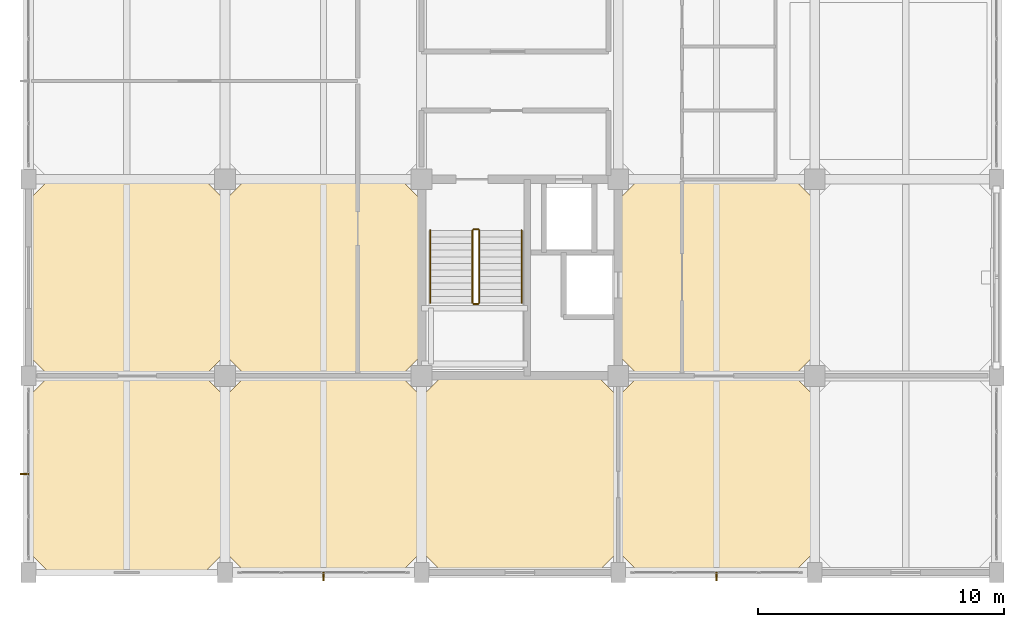
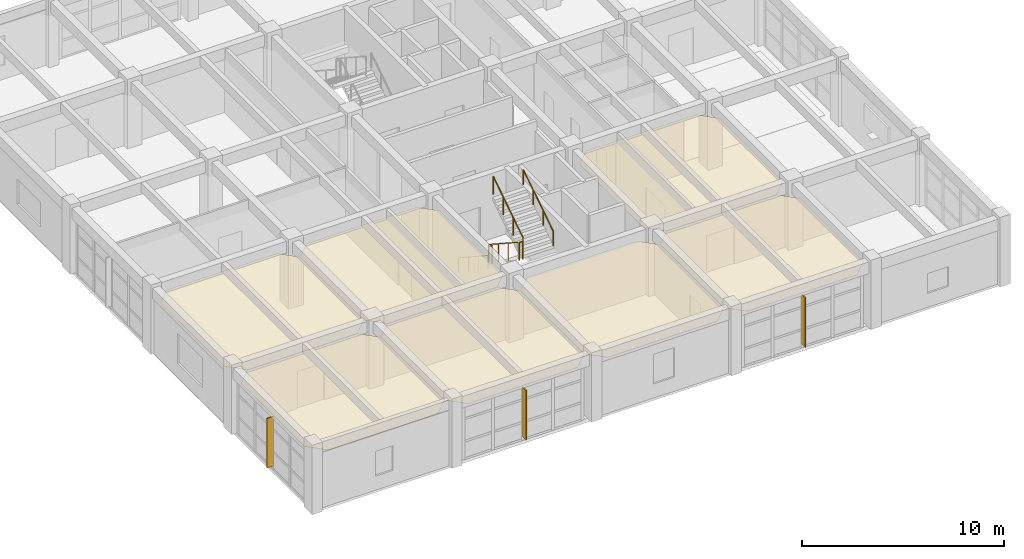
# One storey, part 24 of 27: 7 coverings, 6 railings, 3 shading devices.
"""IFC4 building model written with IfcOpenShell, lengths in metres."""

from ifc_helpers import new_model, si_unit, direction, frame, origin, origin_2d, place, context, subcontext, project, spatial, polyline, rectangle, circle, outline, extrude, material, layer, layer_set, type_object, element, save


model = new_model("IFC4")

# Units and contexts
model_context = context("Model", 3, precision=1e-05, world=origin(), true_north=direction((0.0, 1.0)))
body_context = subcontext(model_context, "Body", "Model", "MODEL_VIEW")
ifc_project = project(units=[si_unit("LENGTHUNIT", "METRE"), si_unit("AREAUNIT", "SQUARE_METRE"), si_unit("VOLUMEUNIT", "CUBIC_METRE"), si_unit("PLANEANGLEUNIT", "RADIAN"), si_unit("MASSUNIT", "GRAM", prefix="KILO")], contexts=[model_context])

# Site, building, storey
site_placement = place(None, origin())
site = spatial("IfcSite", under=ifc_project, at=site_placement, CompositionType="ELEMENT")
building_placement = place(site_placement, origin())
building = spatial("IfcBuilding", under=site, at=building_placement, Name="Canggui Botanical Conservatory", CompositionType="ELEMENT")
storey_placement = place(building_placement, frame((0.0, 0.0, 31.800048828125)))
storey = spatial("IfcBuildingStorey", under=building, at=storey_placement, Name="L08", CompositionType="ELEMENT", Elevation=31.800048828125)

# Coverings
ifc_material_1 = material(Name="Mineral Fibre Acoustic Board")
ifc_layer_1 = layer(ifc_material_1, 0.014892578125, Name="Mineral Fibre Acoustic Board")
ifc_layer_set_1 = layer_set([ifc_layer_1], Name="Mineral Fibre Acoustic Board")
covering_type_1 = type_object("IfcCoveringType", Name="COV-CEIL-15", PredefinedType="CEILING", material=ifc_layer_set_1)
covering_1_placement = place(storey_placement, frame((0.0, 0.0, 3.264892578125)))
element("IfcCovering", 1, at=covering_1_placement, inside=storey, type_object=covering_type_1, Name="Suspended Acoustic Ceiling L08-138-42", PredefinedType="CEILING", context=body_context, shape_type="SweptSolid", body=[
    extrude(outline(polyline([(138.85009765625, 42.0), (145.14990234375, 42.0), (146.0, 42.85009765625), (146.0, 49.14990234375), (145.14990234375, 50.0), (138.85009765625, 50.0), (138.0, 49.14990234375), (138.0, 42.85009765625), (138.85009765625, 42.0)])), origin(), (0.0, 0.0, 1.0), 0.01513671875),
])
covering_2_placement = place(storey_placement, frame((0.0, 0.0, 3.264892578125)))
element("IfcCovering", 2, at=covering_2_placement, inside=storey, type_object=covering_type_1, Name="Suspended Acoustic Ceiling L08-146-34", PredefinedType="CEILING", context=body_context, shape_type="SweptSolid", body=[
    extrude(outline(polyline([(146.85009765625, 34.0), (153.14990234375, 34.0), (154.0, 34.85009765625), (154.0, 41.14990234375), (153.14990234375, 42.0), (146.85009765625, 42.0), (146.0, 41.14990234375), (146.0, 34.85009765625), (146.85009765625, 34.0)])), origin(), (0.0, 0.0, 1.0), 0.01513671875),
])
covering_3_placement = place(storey_placement, frame((0.0, 0.0, 3.264892578125)))
element("IfcCovering", 3, at=covering_3_placement, inside=storey, type_object=covering_type_1, Name="Suspended Acoustic Ceiling L08-162-34", PredefinedType="CEILING", context=body_context, shape_type="SweptSolid", body=[
    extrude(outline(polyline([(162.85009765625, 34.0), (169.14990234375, 34.0), (170.0, 34.85009765625), (170.0, 41.14990234375), (169.14990234375, 42.0), (162.85009765625, 42.0), (162.0, 41.14990234375), (162.0, 34.85009765625), (162.85009765625, 34.0)])), origin(), (0.0, 0.0, 1.0), 0.01513671875),
])
ifc_material_2 = material(Name="Perforated Gypsum Acoustic Panel")
ifc_layer_2 = layer(ifc_material_2, 0.02001953125, Name="Perforated Gypsum Acoustic Panel")
ifc_layer_set_2 = layer_set([ifc_layer_2], Name="Perforated Gypsum Acoustic Panel")
covering_type_2 = type_object("IfcCoveringType", Name="COV-CEIL-20", PredefinedType="CEILING", material=ifc_layer_set_2)
covering_4_placement = place(storey_placement, frame((0.0, 0.0, 3.260009765625)))
element("IfcCovering", 4, at=covering_4_placement, inside=storey, type_object=covering_type_2, Name="Suspended Acoustic Ceiling L08-138-34", PredefinedType="CEILING", context=body_context, shape_type="SweptSolid", body=[
    extrude(outline(polyline([(138.85009765625, 34.0), (145.14990234375, 34.0), (146.0, 34.85009765625), (146.0, 41.14990234375), (145.14990234375, 42.0), (138.85009765625, 42.0), (138.0, 41.14990234375), (138.0, 34.85009765625), (138.85009765625, 34.0)])), origin(), (0.0, 0.0, 1.0), 0.02001953125),
])
covering_5_placement = place(storey_placement, frame((0.0, 0.0, 3.260009765625)))
element("IfcCovering", 5, at=covering_5_placement, inside=storey, type_object=covering_type_2, Name="Suspended Acoustic Ceiling L08-146-42", PredefinedType="CEILING", context=body_context, shape_type="SweptSolid", body=[
    extrude(outline(polyline([(146.85009765625, 42.0), (153.14990234375, 42.0), (154.0, 42.85009765625), (154.0, 49.14990234375), (153.14990234375, 50.0), (146.85009765625, 50.0), (146.0, 49.14990234375), (146.0, 42.85009765625), (146.85009765625, 42.0)])), origin(), (0.0, 0.0, 1.0), 0.02001953125),
])
covering_6_placement = place(storey_placement, frame((0.0, 0.0, 3.260009765625)))
element("IfcCovering", 6, at=covering_6_placement, inside=storey, type_object=covering_type_2, Name="Suspended Acoustic Ceiling L08-154-34", PredefinedType="CEILING", context=body_context, shape_type="SweptSolid", body=[
    extrude(outline(polyline([(154.85009765625, 34.0), (161.14990234375, 34.0), (162.0, 34.85009765625), (162.0, 41.14990234375), (161.14990234375, 42.0), (154.85009765625, 42.0), (154.0, 41.14990234375), (154.0, 34.85009765625), (154.85009765625, 34.0)])), origin(), (0.0, 0.0, 1.0), 0.02001953125),
])
covering_7_placement = place(storey_placement, frame((0.0, 0.0, 3.260009765625)))
element("IfcCovering", 7, at=covering_7_placement, inside=storey, type_object=covering_type_2, Name="Suspended Acoustic Ceiling L08-162-42", PredefinedType="CEILING", context=body_context, shape_type="SweptSolid", body=[
    extrude(outline(polyline([(162.85009765625, 42.0), (169.14990234375, 42.0), (170.0, 42.85009765625), (170.0, 49.14990234375), (169.14990234375, 50.0), (162.85009765625, 50.0), (162.0, 49.14990234375), (162.0, 42.85009765625), (162.85009765625, 42.0)])), origin(), (0.0, 0.0, 1.0), 0.02001953125),
])

# Railings
ifc_material_3 = material(Name="Stainless Steel 304", Category="steel")
railing_type_1 = type_object("IfcRailingType", Name="RAIL-GUARD-1100", PredefinedType="BALUSTRADE", material=ifc_material_3)
railing_1_placement = place(storey_placement, frame((156.070068359375, 47.919921875, 0.175048828125)))
element("IfcRailing", 8, at=railing_1_placement, inside=storey, type_object=railing_type_1, Name="L08 ST-T1 stair guard 1", PredefinedType="BALUSTRADE", context=body_context, shape_type="SweptSolid", body=[
    extrude(circle(Radius=0.02392578125, at=origin_2d()), frame((0.0, 0.0, 1.076171875), z_axis=(0.0, -0.837324922549, 0.546705564338), x_axis=(1.0, 0.0, 0.0)), (0.0, 0.0, 1.0), 3.520751953125),
    extrude(circle(Radius=0.02099609375, at=origin_2d()), origin(), (0.0, 0.0, 1.0), 1.052001953125),
    extrude(circle(Radius=0.02099609375, at=origin_2d()), frame((0.0, -0.982666015625, 0.6416015625)), (0.0, 0.0, 1.0), 1.052001953125),
    extrude(circle(Radius=0.02099609375, at=origin_2d()), frame((0.0, -1.96533203125, 1.283203125)), (0.0, 0.0, 1.0), 1.052001953125),
    extrude(circle(Radius=0.02099609375, at=origin_2d()), frame((0.0, -2.947998046875, 1.9248046875)), (0.0, 0.0, 1.0), 1.052001953125),
])
railing_2_placement = place(storey_placement, frame((156.1201171875, 44.922119140625, 2.099853515625)))
element("IfcRailing", 9, at=railing_2_placement, inside=storey, type_object=railing_type_1, Name="L08 ST-T1 stair guard 2", PredefinedType="BALUSTRADE", context=body_context, shape_type="SweptSolid", body=[
    extrude(circle(Radius=0.02392578125, at=origin_2d()), frame((0.0, 0.0, 1.076171875), z_axis=(1.0, 0.0, 0.0), x_axis=(0.0, 1.0, 0.0)), (0.0, 0.0, 1.0), 0.179931640625),
    extrude(circle(Radius=0.02099609375, at=origin_2d()), origin(), (0.0, 0.0, 1.0), 1.052001953125),
    extrude(circle(Radius=0.02099609375, at=origin_2d()), frame((0.179931640625, 0.0, 0.0)), (0.0, 0.0, 1.0), 1.052001953125),
])
railing_3_placement = place(storey_placement, frame((156.35009765625, 44.971923828125, 2.27490234375)))
element("IfcRailing", 10, at=railing_3_placement, inside=storey, type_object=railing_type_1, Name="L08 ST-T1 stair guard 3", PredefinedType="BALUSTRADE", context=body_context, shape_type="SweptSolid", body=[
    extrude(circle(Radius=0.02392578125, at=origin_2d()), frame((0.0, 0.0, 1.076171875), z_axis=(0.0, 0.837293178872, 0.54675417933), x_axis=(-1.0, 0.0, 0.0)), (0.0, 0.0, 1.0), 3.520751953125),
    extrude(circle(Radius=0.02099609375, at=origin_2d()), origin(), (0.0, 0.0, 1.0), 1.052001953125),
    extrude(circle(Radius=0.02099609375, at=origin_2d()), frame((0.0, 0.982666015625, 0.6416015625)), (0.0, 0.0, 1.0), 1.052001953125),
    extrude(circle(Radius=0.02099609375, at=origin_2d()), frame((0.0, 1.96533203125, 1.283447265625)), (0.0, 0.0, 1.0), 1.052001953125),
    extrude(circle(Radius=0.02099609375, at=origin_2d()), frame((0.0, 2.947998046875, 1.925048828125)), (0.0, 0.0, 1.0), 1.052001953125),
])
railing_4_placement = place(storey_placement, frame((156.1201171875, 47.969970703125, 0.0)))
element("IfcRailing", 11, at=railing_4_placement, inside=storey, type_object=railing_type_1, Name="L08 ST-T1 stair guard 4", PredefinedType="BALUSTRADE", context=body_context, shape_type="SweptSolid", body=[
    extrude(circle(Radius=0.02392578125, at=origin_2d()), frame((0.0, 0.0, 1.076171875), z_axis=(1.0, 0.0, 0.0), x_axis=(0.0, 1.0, 0.0)), (0.0, 0.0, 1.0), 0.179931640625),
    extrude(circle(Radius=0.02099609375, at=origin_2d()), origin(), (0.0, 0.0, 1.0), 1.052001953125),
    extrude(circle(Radius=0.02099609375, at=origin_2d()), frame((0.179931640625, 0.0, 0.0)), (0.0, 0.0, 1.0), 1.052001953125),
])
railing_type_2 = type_object("IfcRailingType", Name="RAIL-HAND-900", PredefinedType="HANDRAIL", material=ifc_material_3)
railing_5_placement = place(storey_placement, frame((154.35009765625, 47.919921875, 0.175048828125)))
element("IfcRailing", 12, at=railing_5_placement, inside=storey, type_object=railing_type_2, Name="L08 ST-T1 stair handrail 1", PredefinedType="HANDRAIL", context=body_context, shape_type="SweptSolid", body=[
    extrude(circle(Radius=0.02392578125, at=origin_2d()), frame((0.0, 0.0, 0.8759765625), z_axis=(0.0, -0.837324922549, 0.546705564338), x_axis=(1.0, 0.0, 0.0)), (0.0, 0.0, 1.0), 3.520751953125),
    extrude(circle(Radius=0.02099609375, at=origin_2d()), origin(), (0.0, 0.0, 1.0), 0.851806640625),
    extrude(circle(Radius=0.02099609375, at=origin_2d()), frame((0.0, -0.982666015625, 0.6416015625)), (0.0, 0.0, 1.0), 0.851806640625),
    extrude(circle(Radius=0.02099609375, at=origin_2d()), frame((0.0, -1.96533203125, 1.283203125)), (0.0, 0.0, 1.0), 0.851806640625),
    extrude(circle(Radius=0.02099609375, at=origin_2d()), frame((0.0, -2.947998046875, 1.9248046875)), (0.0, 0.0, 1.0), 0.851806640625),
])
railing_6_placement = place(storey_placement, frame((158.070068359375, 44.971923828125, 2.27490234375)))
element("IfcRailing", 13, at=railing_6_placement, inside=storey, type_object=railing_type_2, Name="L08 ST-T1 stair handrail 2", PredefinedType="HANDRAIL", context=body_context, shape_type="SweptSolid", body=[
    extrude(circle(Radius=0.02392578125, at=origin_2d()), frame((0.0, 0.0, 0.8759765625), z_axis=(0.0, 0.837293178872, 0.54675417933), x_axis=(-1.0, 0.0, 0.0)), (0.0, 0.0, 1.0), 3.520751953125),
    extrude(circle(Radius=0.02099609375, at=origin_2d()), origin(), (0.0, 0.0, 1.0), 0.851806640625),
    extrude(circle(Radius=0.02099609375, at=origin_2d()), frame((0.0, 0.982666015625, 0.6416015625)), (0.0, 0.0, 1.0), 0.851806640625),
    extrude(circle(Radius=0.02099609375, at=origin_2d()), frame((0.0, 1.96533203125, 1.283447265625)), (0.0, 0.0, 1.0), 0.851806640625),
    extrude(circle(Radius=0.02099609375, at=origin_2d()), frame((0.0, 2.947998046875, 1.925048828125)), (0.0, 0.0, 1.0), 0.851806640625),
])

# Shading devices
ifc_material_4 = material(Name="Anodised Aluminium", Category="aluminium")
shading_device_type = type_object("IfcShadingDeviceType", Name="SHD-FIN02", PredefinedType="AWNING", material=ifc_material_4)
for number, where, z_axis, x_axis, name in (
    (14, (166.0, 33.8349609375, 0.199951171875), (0.0, 0.0, 1.0), (-1.0, 0.0, 0.0), "Solar Shading Fin CW-TWR-L08-02"),
    (15, (150.0, 33.8349609375, 0.199951171875), (0.0, 0.0, 1.0), (-1.0, 0.0, 0.0), "Solar Shading Fin CW-TWR-L08-04"),
    (16, (137.8349609375, 38.0, 0.199951171875), (0.0, 0.0, 1.0), (0.0, 1.0, 0.0), "Solar Shading Fin CW-TWR-L08-06"),
):
    element("IfcShadingDevice", number, at=place(storey_placement, frame(where, z_axis=z_axis, x_axis=x_axis)), inside=storey, type_object=shading_device_type, Name=name, PredefinedType="AWNING", context=body_context, shape_type="SweptSolid", body=[
        extrude(rectangle(XDim=0.06005859375, YDim=0.360107421875, at=origin_2d()), origin(), (0.0, 0.0, 1.0), 3.0),
    ])

save(model, "model.ifc")
